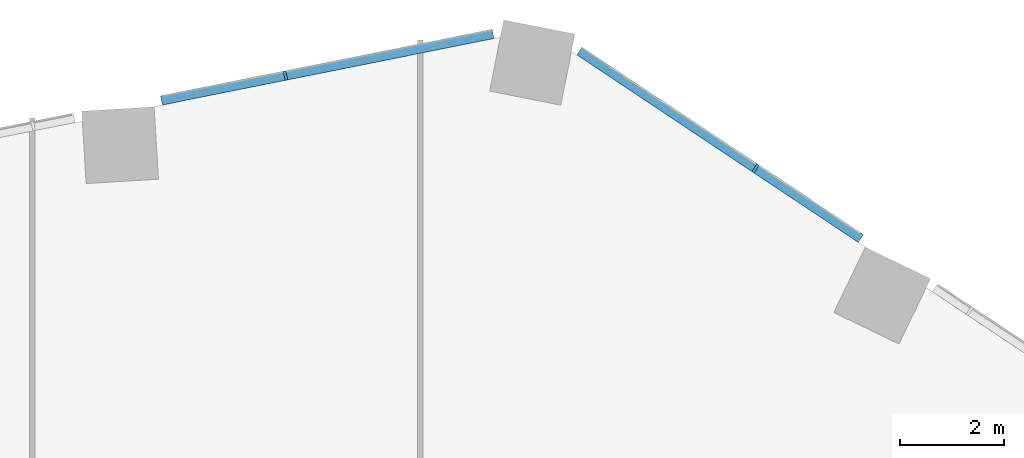
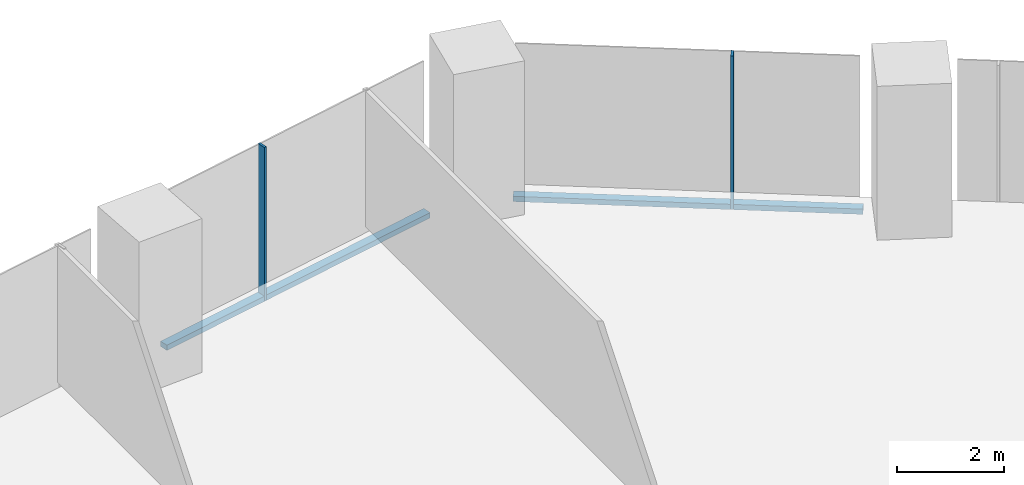
# One storey, part 14 of 38: 4 members, 2 elements without a shape of their own.
"""IFC4 building model written with IfcOpenShell, lengths in metres."""

from ifc_helpers import new_model, si_unit, direction, frame, origin, origin_2d, place, context, subcontext, project, spatial, rectangle, extrude, material, material_profile, profile_set, type_object, element, aggregate, save


model = new_model("IFC4")

# Units and contexts
model_context = context("Model", 3, precision=1e-05, world=origin(), true_north=direction((0.0, 1.0)))
body_context = subcontext(model_context, "Body", "Model", "MODEL_VIEW")
ifc_project = project(units=[si_unit("LENGTHUNIT", "METRE"), si_unit("AREAUNIT", "SQUARE_METRE"), si_unit("VOLUMEUNIT", "CUBIC_METRE"), si_unit("PLANEANGLEUNIT", "RADIAN"), si_unit("MASSUNIT", "GRAM", prefix="KILO")], contexts=[model_context])

# Site, building, storey
site_placement = place(None, origin())
site = spatial("IfcSite", under=ifc_project, at=site_placement, CompositionType="ELEMENT")
building_placement = place(site_placement, origin())
building = spatial("IfcBuilding", under=site, at=building_placement, Name="Orlundy Tower", CompositionType="ELEMENT")
storey_placement = place(building_placement, frame((0.0, 0.0, 62.300048828125)))
storey = spatial("IfcBuildingStorey", under=building, at=storey_placement, Name="L14", CompositionType="ELEMENT", Elevation=62.300048828125)

# Curtain wall, member
ifc_material_1 = material(Name="Aluminium bronze anodised", Category="aluminium")
curtain_wall_type = type_object("IfcCurtainWallType", Name="CW1 wall", PredefinedType="NOTDEFINED", material=ifc_material_1)
curtain_wall_1_placement = place(storey_placement, origin())
curtain_wall_1 = element("IfcCurtainWall", 1, at=curtain_wall_1_placement, inside=storey, type_object=curtain_wall_type, Name="CW1 run 015", PredefinedType="NOTDEFINED")
ifc_material_2 = material(Name="Aluminium bronze anodised", Category="aluminium")
ifc_material_profile_1 = material_profile(ifc_material_2, rectangle(XDim=0.179931640625, YDim=0.050048828125, at=origin_2d()), Name="CW1 mullion 50x180")
ifc_profile_set_1 = profile_set([ifc_material_profile_1], Name="Aluminium bronze anodised")
member_type_1 = type_object("IfcMemberType", Name="CW1 mullion 50x180", PredefinedType="MULLION", material=ifc_profile_set_1)
member_1_placement = place(storey_placement, frame((1.3974609375, 30.968505859375, -0.400146484375), z_axis=(0.0, 0.0, 1.0), x_axis=(-0.196510737775, 0.980501672583, 0.0)))
member_1 = element("IfcMember", 2, at=member_1_placement, type_object=member_type_1, Name="CW1 mullion 43", PredefinedType="MULLION", context=body_context, shape_type="SweptSolid", body=[
    extrude(rectangle(XDim=0.179931640625, YDim=0.050048828125, at=origin_2d()), origin(), (0.0, 0.0, 1.0), 3.5),
])

curtain_wall_2_placement = place(storey_placement, origin())
curtain_wall_2 = element("IfcCurtainWall", 3, at=curtain_wall_2_placement, inside=storey, type_object=curtain_wall_type, Name="CW1 run 016", PredefinedType="NOTDEFINED")
member_2_placement = place(storey_placement, frame((10.4755859375, 29.176513671875, -0.400146484375), z_axis=(0.0, 0.0, 1.0), x_axis=(0.554356579774, 0.832279269513, 0.0)))
member_2 = element("IfcMember", 4, at=member_2_placement, type_object=member_type_1, Name="CW1 mullion 45", PredefinedType="MULLION", context=body_context, shape_type="SweptSolid", body=[
    extrude(rectangle(XDim=0.179931640625, YDim=0.050048828125, at=origin_2d()), origin(), (0.0, 0.0, 1.0), 3.5),
])

# Member
ifc_material_3 = material(Name="Aluminium bronze anodised", Category="aluminium")
ifc_material_profile_2 = material_profile(ifc_material_3, rectangle(XDim=0.179931640625, YDim=0.1201171875, at=origin_2d()), Name="CW1 transom 180x120")
ifc_profile_set_2 = profile_set([ifc_material_profile_2], Name="Aluminium bronze anodised")
member_type_2 = type_object("IfcMemberType", Name="CW1 transom 180x120", PredefinedType="USERDEFINED", material=ifc_profile_set_2)
member_3_placement = place(storey_placement, frame((-0.997802734375, 30.48828125, -0.340087890625), z_axis=(0.980498633582, 0.19652590044, 0.0), x_axis=(-0.19652590044, 0.980498633582, 0.0)))
member_3 = element("IfcMember", 5, at=member_3_placement, type_object=member_type_2, Name="CW1 transom", ObjectType="TRANSOM", PredefinedType="USERDEFINED", context=body_context, shape_type="SweptSolid", body=[
    extrude(rectangle(XDim=0.179931640625, YDim=0.1201171875, at=origin_2d()), origin(), (0.0, 0.0, 1.0), 6.53076171875),
])

aggregate(curtain_wall_1, [member_1, member_3])

member_4_placement = place(storey_placement, frame((7.073486328125, 31.442626953125, -0.340087890625), z_axis=(0.832280257584, -0.554355096338, 0.0), x_axis=(0.554355096338, 0.832280257584, 0.0)))
member_4 = element("IfcMember", 6, at=member_4_placement, type_object=member_type_2, Name="CW1 transom", ObjectType="TRANSOM", PredefinedType="USERDEFINED", context=body_context, shape_type="SweptSolid", body=[
    extrude(rectangle(XDim=0.179931640625, YDim=0.1201171875, at=origin_2d()), origin(), (0.0, 0.0, 1.0), 6.53125),
])

aggregate(curtain_wall_2, [member_2, member_4])

save(model, "model.ifc")
